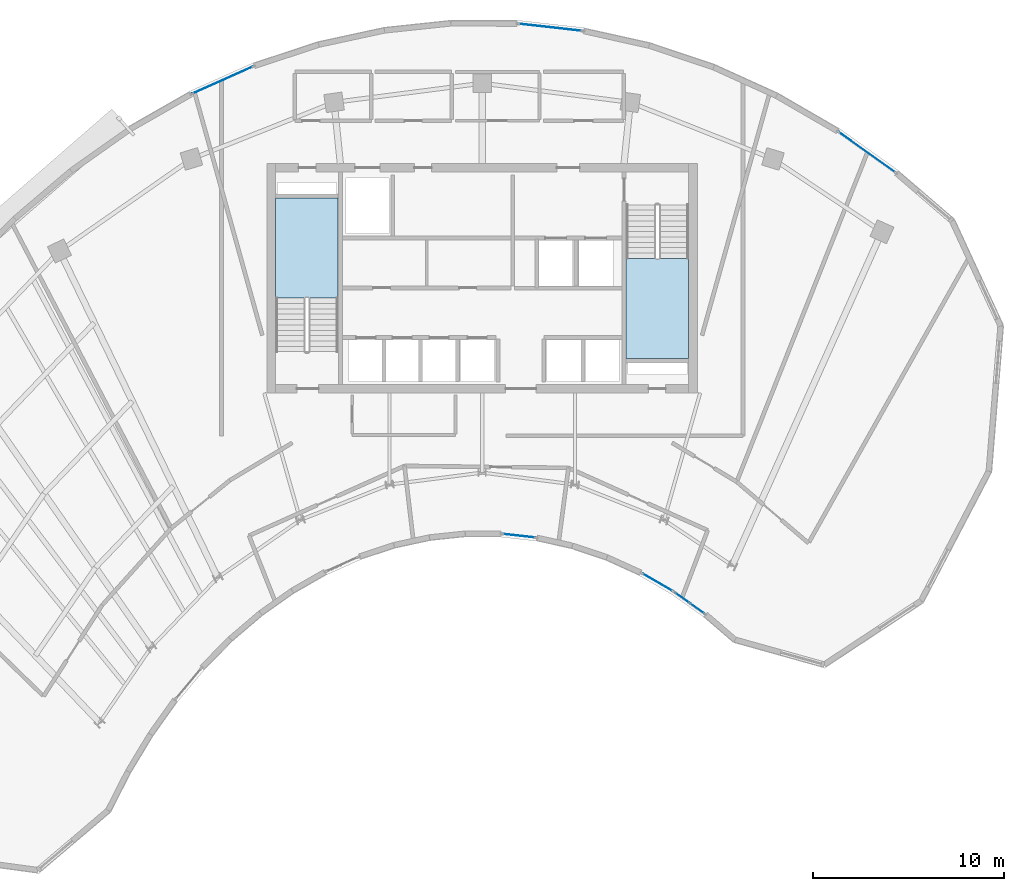
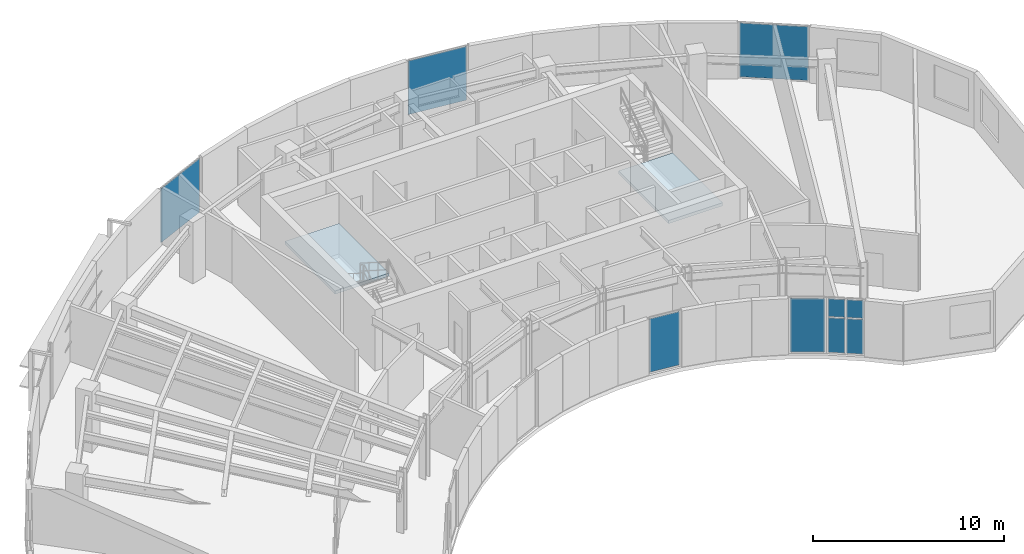
# One storey, part 6 of 12: 9 plates, 2 slabs, 8 elements without a shape of their own.
"""IFC4 building model written with IfcOpenShell, lengths in metres."""

from ifc_helpers import new_model, si_unit, direction, frame, origin, origin_2d, place, context, subcontext, project, spatial, polyline, rectangle, outline, extrude, source, transform, mapped, material, layer, layer_set, type_object, element, aggregate, save


model = new_model("IFC4")

# Units and contexts
model_context = context("Model", 3, precision=1e-05, world=origin(), true_north=direction((0.0, 1.0)))
body_context = subcontext(model_context, "Body", "Model", "MODEL_VIEW")
ifc_project = project(units=[si_unit("LENGTHUNIT", "METRE"), si_unit("AREAUNIT", "SQUARE_METRE"), si_unit("VOLUMEUNIT", "CUBIC_METRE"), si_unit("PLANEANGLEUNIT", "RADIAN"), si_unit("MASSUNIT", "GRAM", prefix="KILO")], contexts=[model_context])

# Site, building, storey
site_placement = place(None, origin())
site = spatial("IfcSite", under=ifc_project, at=site_placement, CompositionType="ELEMENT")
building_placement = place(site_placement, origin())
building = spatial("IfcBuilding", under=site, at=building_placement, Name="Breltana Convention Tower", CompositionType="ELEMENT")
storey_placement = place(building_placement, frame((0.0, 0.0, 250.800048828125)))
storey = spatial("IfcBuildingStorey", under=building, at=storey_placement, Name="L61", CompositionType="ELEMENT", Elevation=250.800048828125)

# Stair, slab
ifc_material_1 = material(Name="Concrete C40/50", Category="concrete")
stair_type = type_object("IfcStairType", Name="ST-DOG-1560-R177", PredefinedType="HALF_TURN_STAIR", material=ifc_material_1)
stair_1_placement = place(storey_placement, origin())
stair_1 = element("IfcStair", 1, at=stair_1_placement, inside=storey, type_object=stair_type, Name="L61 Protected Core Exit Stair ST-1", PredefinedType="HALF_TURN_STAIR")
ifc_layer_1 = layer(ifc_material_1, 0.199951171875, Name="Concrete C40/50")
ifc_layer_set_1 = layer_set([ifc_layer_1], Name="Concrete C40/50")
slab_type = type_object("IfcSlabType", Name="SL-STAIR-LANDING-200", PredefinedType="LANDING", material=ifc_layer_set_1)
slab_1_placement = place(storey_placement, frame((0.0, 0.0, 1.75)))
slab_1 = element("IfcSlab", 2, at=slab_1_placement, type_object=slab_type, Name="ST-1 landing 1", PredefinedType="LANDING", context=body_context, shape_type="SweptSolid", body=[
    extrude(outline(polyline([(40.469970703125, 65.159912109375), (40.469970703125, 70.39990234375), (37.199951171875, 70.39990234375), (37.199951171875, 65.159912109375), (40.469970703125, 65.159912109375)])), origin(), (0.0, 0.0, 1.0), 0.199951171875),
])
aggregate(stair_1, [slab_1])

stair_2_placement = place(storey_placement, origin())
stair_2 = element("IfcStair", 3, at=stair_2_placement, inside=storey, type_object=stair_type, Name="L61 Protected Core Exit Stair ST-2", PredefinedType="HALF_TURN_STAIR")
slab_2_placement = place(storey_placement, frame((0.0, 0.0, 1.75)))
slab_2 = element("IfcSlab", 4, at=slab_2_placement, type_object=slab_type, Name="ST-2 landing 1", PredefinedType="LANDING", context=body_context, shape_type="SweptSolid", body=[
    extrude(outline(polyline([(55.530029296875, 67.239990234375), (55.530029296875, 62.0), (58.800048828125, 62.0), (58.800048828125, 67.239990234375), (55.530029296875, 67.239990234375)])), origin(), (0.0, 0.0, 1.0), 0.199951171875),
])
aggregate(stair_2, [slab_2])

# Curtain wall, plates
ifc_material_2 = material(Name="Aluminium Anodised Bronze Frame", Category="aluminium")
ifc_layer_2 = layer(ifc_material_2, 0.18994140625, Name="Aluminium Anodised Bronze Frame")
ifc_layer_set_2 = layer_set([ifc_layer_2], Name="Aluminium Anodised Bronze Frame")
curtain_wall_type_1 = type_object("IfcCurtainWallType", Name="CW-SYS-1", PredefinedType="NOTDEFINED", material=ifc_layer_set_2)
curtain_wall_1_placement = place(storey_placement, origin())
curtain_wall_1 = element("IfcCurtainWall", 5, at=curtain_wall_1_placement, inside=storey, type_object=curtain_wall_type_1, Name="L61 inner south-court glazing 1", PredefinedType="NOTDEFINED")
ifc_material_3 = material(Name="Glass Low-E Double Glazing", Category="glass")
ifc_layer_3 = layer(ifc_material_3, 0.028076171875, Name="Glass Low-E Double Glazing")
ifc_layer_set_3 = layer_set([ifc_layer_3], Name="Glass Low-E Double Glazing")
plate_type = type_object("IfcPlateType", Name="CWP-IGU-28", PredefinedType="CURTAIN_PANEL", material=ifc_layer_set_3)
shared_shape_1 = source(origin(), body_context, "Body", "SweptSolid", [
    extrude(rectangle(XDim=0.88720703125, YDim=0.028076171875, at=origin_2d()), origin(), (0.0, 0.0, 1.0), 2.20703125),
])
plate_1_placement = place(storey_placement, frame((59.2490234375, 48.93115234375, 0.079833984375), z_axis=(0.0, 0.0, 1.0), x_axis=(-0.814132405297, 0.580679280365, 0.0)))
plate_1 = element("IfcPlate", 6, at=plate_1_placement, type_object=plate_type, Name="CW-01 panel 1.1", PredefinedType="CURTAIN_PANEL", context=body_context, shape_type="MappedRepresentation", body=[
    mapped(shared_shape_1, transform((0.0, 0.0, 0.0), scale=1.0)),
])
plate_2_placement = place(storey_placement, frame((58.461669921875, 49.492919921875, 0.079833984375), z_axis=(0.0, 0.0, 1.0), x_axis=(-0.814132405297, 0.580679280365, 0.0)))
plate_2 = element("IfcPlate", 7, at=plate_2_placement, type_object=plate_type, Name="CW-01 panel 2.1", PredefinedType="CURTAIN_PANEL", context=body_context, shape_type="MappedRepresentation", body=[
    mapped(shared_shape_1, transform((0.0, 0.0, 0.0), scale=1.0)),
])
shared_shape_2 = source(origin(), body_context, "Body", "SweptSolid", [
    extrude(rectangle(XDim=0.88720703125, YDim=0.028076171875, at=origin_2d()), origin(), (0.0, 0.0, 1.0), 1.133056640625),
])
plate_3_placement = place(storey_placement, frame((59.2490234375, 48.93115234375, 2.36669921875), z_axis=(0.0, 0.0, 1.0), x_axis=(-0.814132405297, 0.580679280365, 0.0)))
plate_3 = element("IfcPlate", 8, at=plate_3_placement, type_object=plate_type, Name="CW-01 panel 1.2", PredefinedType="CURTAIN_PANEL", context=body_context, shape_type="MappedRepresentation", body=[
    mapped(shared_shape_2, transform((0.0, 0.0, 0.0), scale=1.0)),
])
plate_4_placement = place(storey_placement, frame((58.461669921875, 49.492919921875, 2.36669921875), z_axis=(0.0, 0.0, 1.0), x_axis=(-0.814132405297, 0.580679280365, 0.0)))
plate_4 = element("IfcPlate", 9, at=plate_4_placement, type_object=plate_type, Name="CW-01 panel 2.2", PredefinedType="CURTAIN_PANEL", context=body_context, shape_type="MappedRepresentation", body=[
    mapped(shared_shape_2, transform((0.0, 0.0, 0.0), scale=1.0)),
])
aggregate(curtain_wall_1, [plate_1, plate_3, plate_2, plate_4])

# Curtain wall, plate
curtain_wall_2_placement = place(storey_placement, origin())
curtain_wall_2 = element("IfcCurtainWall", 10, at=curtain_wall_2_placement, inside=storey, type_object=curtain_wall_type_1, Name="L61 inner south-court glazing 2", PredefinedType="NOTDEFINED")
shared_shape_3 = source(origin(), body_context, "Body", "SweptSolid", [
    extrude(rectangle(XDim=1.810791015625, YDim=0.028076171875, at=origin_2d()), origin(), (0.0, 0.0, 1.0), 3.419921875),
])
plate_5_placement = place(storey_placement, frame((57.168212890625, 50.300048828125, 0.080078125), z_axis=(0.0, 0.0, 1.0), x_axis=(-0.865337111796, 0.501190266215, 0.0)))
plate_5 = element("IfcPlate", 11, at=plate_5_placement, type_object=plate_type, Name="CW-01 panel 1.1", PredefinedType="CURTAIN_PANEL", context=body_context, shape_type="MappedRepresentation", body=[
    mapped(shared_shape_3, transform((0.0, 0.0, 0.0), scale=1.0)),
])
aggregate(curtain_wall_2, [plate_5])

curtain_wall_3_placement = place(storey_placement, origin())
curtain_wall_3 = element("IfcCurtainWall", 12, at=curtain_wall_3_placement, inside=storey, type_object=curtain_wall_type_1, Name="L61 inner south-court glazing 3", PredefinedType="NOTDEFINED")
shared_shape_4 = source(origin(), body_context, "Body", "SweptSolid", [
    extrude(rectangle(XDim=1.703125, YDim=0.028076171875, at=origin_2d()), origin(), (0.0, 0.0, 1.0), 3.419921875),
])
plate_6_placement = place(storey_placement, frame((49.9248046875, 52.733154296875, 0.080078125), z_axis=(0.0, 0.0, 1.0), x_axis=(-0.993791097907, 0.111262094719, 0.0)))
plate_6 = element("IfcPlate", 13, at=plate_6_placement, type_object=plate_type, Name="CW-01 panel 1.1", PredefinedType="CURTAIN_PANEL", context=body_context, shape_type="MappedRepresentation", body=[
    mapped(shared_shape_4, transform((0.0, 0.0, 0.0), scale=1.0)),
])
aggregate(curtain_wall_3, [plate_6])

ifc_layer_4 = layer(ifc_material_2, 0.219970703125, Name="Aluminium Anodised Bronze Frame")
ifc_layer_set_4 = layer_set([ifc_layer_4], Name="Aluminium Anodised Bronze Frame")
curtain_wall_type_2 = type_object("IfcCurtainWallType", Name="CW-SYS-4", PredefinedType="NOTDEFINED", material=ifc_layer_set_4)
curtain_wall_4_placement = place(storey_placement, origin())
curtain_wall_4 = element("IfcCurtainWall", 14, at=curtain_wall_4_placement, inside=storey, type_object=curtain_wall_type_2, Name="L61 outer double-skin inner glazing 3", PredefinedType="NOTDEFINED")
shared_shape_5 = source(origin(), body_context, "Body", "SweptSolid", [
    extrude(rectangle(XDim=3.455810546875, YDim=0.028076171875, at=origin_2d()), origin(), (0.0, 0.0, 1.0), 3.43994140625),
])
plate_7_placement = place(storey_placement, frame((34.4267578125, 76.568115234375, 0.070068359375), z_axis=(0.0, 0.0, 1.0), x_axis=(0.912711055294, 0.408605591669, 0.0)))
plate_7 = element("IfcPlate", 15, at=plate_7_placement, type_object=plate_type, Name="CW-04 panel 1.1", PredefinedType="CURTAIN_PANEL", context=body_context, shape_type="MappedRepresentation", body=[
    mapped(shared_shape_5, transform((0.0, 0.0, 0.0), scale=1.0)),
])
aggregate(curtain_wall_4, [plate_7])

curtain_wall_5_placement = place(storey_placement, origin())
curtain_wall_5 = element("IfcCurtainWall", 16, at=curtain_wall_5_placement, inside=storey, type_object=curtain_wall_type_2, Name="L61 outer double-skin inner glazing 4", PredefinedType="NOTDEFINED")
shared_shape_6 = source(origin(), body_context, "Body", "SweptSolid", [
    extrude(rectangle(XDim=3.3271484375, YDim=0.028076171875, at=origin_2d()), origin(), (0.0, 0.0, 1.0), 3.43994140625),
])
plate_8_placement = place(storey_placement, frame((51.56494140625, 79.3271484375, 0.070068359375), z_axis=(0.0, 0.0, 1.0), x_axis=(0.993793880547, -0.111237237409, 0.0)))
plate_8 = element("IfcPlate", 17, at=plate_8_placement, type_object=plate_type, Name="CW-04 panel 1.1", PredefinedType="CURTAIN_PANEL", context=body_context, shape_type="MappedRepresentation", body=[
    mapped(shared_shape_6, transform((0.0, 0.0, 0.0), scale=1.0)),
])
aggregate(curtain_wall_5, [plate_8])

curtain_wall_6_placement = place(storey_placement, origin())
curtain_wall_6 = element("IfcCurtainWall", 18, at=curtain_wall_6_placement, inside=storey, type_object=curtain_wall_type_2, Name="L61 outer double-skin inner glazing 5", PredefinedType="NOTDEFINED")
shared_shape_7 = source(origin(), body_context, "Body", "SweptSolid", [
    extrude(rectangle(XDim=3.614990234375, YDim=0.028076171875, at=origin_2d()), origin(), (0.0, 0.0, 1.0), 3.43994140625),
])
plate_9_placement = place(storey_placement, frame((68.1298828125, 72.793212890625, 0.070068359375), z_axis=(0.0, 0.0, 1.0), x_axis=(0.814144936674, -0.580661710541, 0.0)))
plate_9 = element("IfcPlate", 19, at=plate_9_placement, type_object=plate_type, Name="CW-04 panel 1.1", PredefinedType="CURTAIN_PANEL", context=body_context, shape_type="MappedRepresentation", body=[
    mapped(shared_shape_7, transform((0.0, 0.0, 0.0), scale=1.0)),
])
aggregate(curtain_wall_6, [plate_9])

save(model, "model.ifc")
